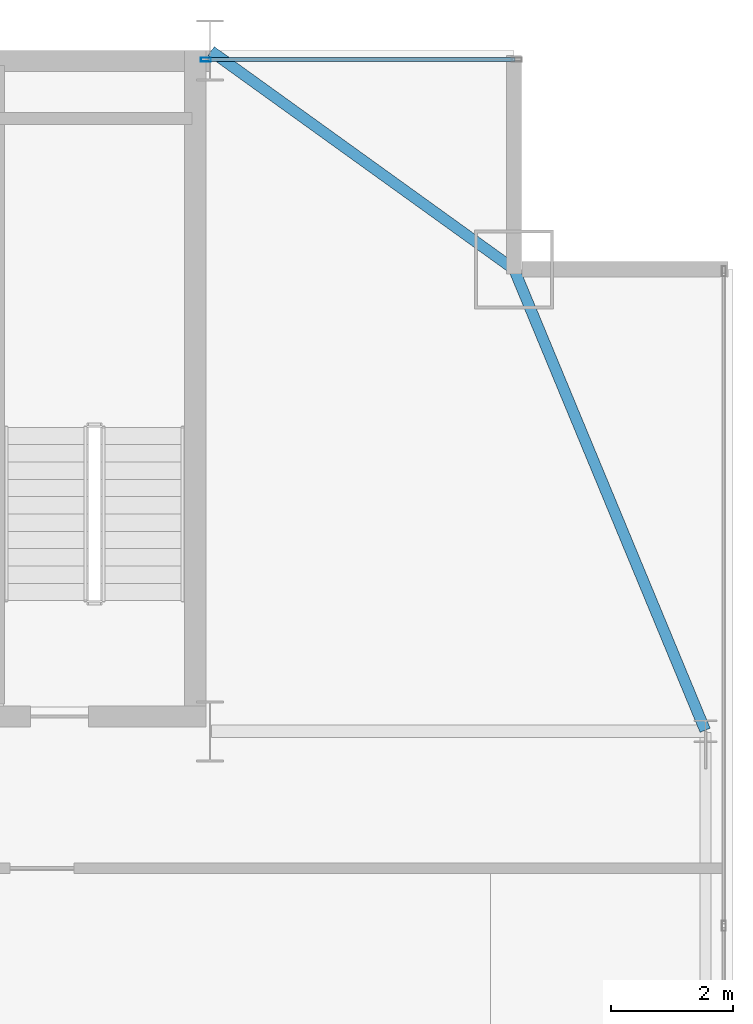
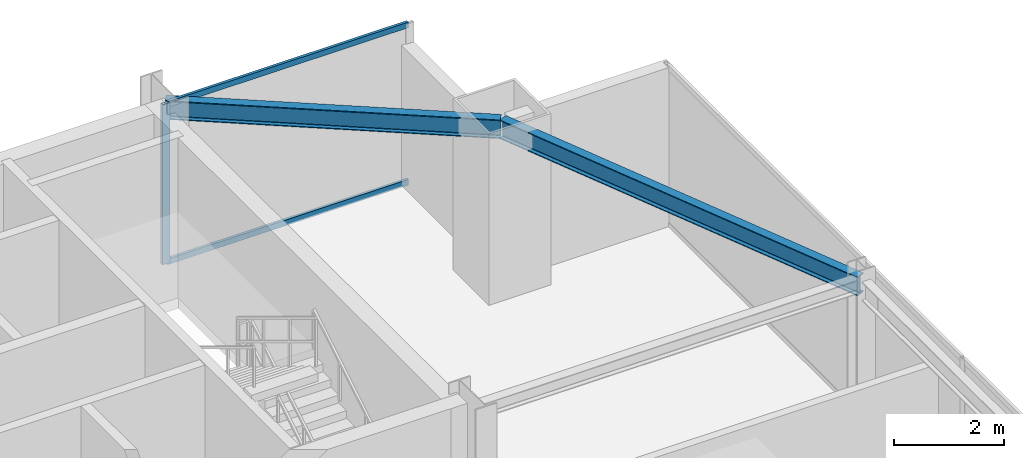
# One storey, part 21 of 31: 3 members, 2 beams, 1 element without a shape of its own.
"""IFC4 building model written with IfcOpenShell, lengths in metres."""

from ifc_helpers import new_model, si_unit, direction, frame, origin, origin_2d, place, context, subcontext, project, spatial, hollow_rectangle, i_section, extrude, source, transform, mapped, material, layer, layer_set, material_profile, profile_set, type_object, type_shapes, element, aggregate, save


model = new_model("IFC4")

# Units and contexts
model_context = context("Model", 3, precision=1e-05, world=origin(), true_north=direction((0.0, 1.0)))
body_context = subcontext(model_context, "Body", "Model", "MODEL_VIEW")
ifc_project = project(units=[si_unit("LENGTHUNIT", "METRE"), si_unit("AREAUNIT", "SQUARE_METRE"), si_unit("VOLUMEUNIT", "CUBIC_METRE"), si_unit("PLANEANGLEUNIT", "RADIAN"), si_unit("MASSUNIT", "GRAM", prefix="KILO")], contexts=[model_context])

# Site, building, storey
site_placement = place(None, origin())
site = spatial("IfcSite", under=ifc_project, at=site_placement, CompositionType="ELEMENT")
building_placement = place(site_placement, origin())
building = spatial("IfcBuilding", under=site, at=building_placement, Name="Varnel Quay Broadcast Tower", CompositionType="ELEMENT")
storey_placement = place(building_placement, frame((0.0, 0.0, 157.199951171875)))
storey = spatial("IfcBuildingStorey", under=building, at=storey_placement, Name="L38", CompositionType="ELEMENT", Elevation=157.199951171875)

# Beams
ifc_material_1 = material(Name="Structural Steel CSA G40.21 350W", Category="steel")
ifc_material_profile_1 = material_profile(ifc_material_1, i_section(OverallWidth=0.180908203125, OverallDepth=0.4169921875, WebThickness=0.010986328125, FlangeThickness=0.018310546875, FilletRadius=0.011962890625, at=origin_2d()), Name="W410X85")
ifc_profile_set_1 = profile_set([ifc_material_profile_1], Name="Structural Steel CSA G40.21 350W")
beam_type = type_object("IfcBeamType", Name="Beam_W410X85", PredefinedType="SPANDREL", material=ifc_profile_set_1)
shared_shape_1 = source(origin(), body_context, "Body", "SweptSolid", [
    extrude(i_section(OverallWidth=0.180908203125, OverallDepth=0.4169921875, WebThickness=0.010986328125, FlangeThickness=0.018310546875, FilletRadius=0.011962890625, at=origin_2d()), origin(), (0.0, 0.0, 1.0), 8.186767578125),
])
beam_1_placement = place(storey_placement, frame((60.542236328125, 35.618408203125, 3.341552734375), z_axis=(-0.382874132092, 0.923800519038, 0.0), x_axis=(-0.923800519038, -0.382874132092, 0.0)))
element("IfcBeam", 1, at=beam_1_placement, inside=storey, type_object=beam_type, Name="L38 East Spandrel TC-E3-MC-NE", PredefinedType="SPANDREL", context=body_context, shape_type="MappedRepresentation", body=[
    mapped(shared_shape_1, transform((0.0, 0.0, 0.0), x_axis=(1.0, 0.0, 0.0), y_axis=(0.0, 1.0, 0.0), z_axis=(0.0, 0.0, 1.0), scale=1.0)),
])
shared_shape_2 = source(origin(), body_context, "Body", "SweptSolid", [
    extrude(i_section(OverallWidth=0.180908203125, OverallDepth=0.4169921875, WebThickness=0.010986328125, FlangeThickness=0.018310546875, FilletRadius=0.011962890625, at=origin_2d()), origin(), (0.0, 0.0, 1.0), 6.12109375),
])
type_shapes(beam_type, [shared_shape_1, shared_shape_2])
beam_2_placement = place(storey_placement, frame((52.416259765625, 46.788330078125, 3.341552734375), z_axis=(0.811531315425, -0.584308928637, 0.0), x_axis=(0.584308928637, 0.811531315425, 0.0)))
element("IfcBeam", 2, at=beam_2_placement, inside=storey, type_object=beam_type, Name="L38 NE Tie Spandrel", PredefinedType="SPANDREL", context=body_context, shape_type="MappedRepresentation", body=[
    mapped(shared_shape_2, transform((0.0, 0.0, 0.0), x_axis=(1.0, 0.0, 0.0), y_axis=(0.0, 1.0, 0.0), z_axis=(0.0, 0.0, 1.0), scale=1.0)),
])

# Curtain wall, members
ifc_material_2 = material(Name="Anodised Bronze Aluminium 6063-T6", Category="aluminium")
ifc_layer = layer(ifc_material_2, 0.18994140625, Name="Anodised Bronze Aluminium 6063-T6")
ifc_layer_set = layer_set([ifc_layer], Name="Anodised Bronze Aluminium 6063-T6")
curtain_wall_type = type_object("IfcCurtainWallType", Name="CW_UpperTower", PredefinedType="NOTDEFINED", material=ifc_layer_set)
curtain_wall_placement = place(storey_placement, origin())
curtain_wall = element("IfcCurtainWall", 3, at=curtain_wall_placement, inside=storey, type_object=curtain_wall_type, Name="L38 NE Wing Curtain Wall", PredefinedType="NOTDEFINED")
ifc_material_profile_2 = material_profile(ifc_material_2, hollow_rectangle(XDim=0.06494140625, YDim=0.1650390625, WallThickness=0.00341796875, at=origin_2d()), Name="ALU65X165X3.5")
ifc_profile_set_2 = profile_set([ifc_material_profile_2], Name="Anodised Bronze Aluminium 6063-T6")
member_type_1 = type_object("IfcMemberType", Name="Mull_CWS-03", PredefinedType="MULLION", material=ifc_profile_set_2)
shared_shape_3 = source(origin(), body_context, "Body", "SweptSolid", [
    extrude(hollow_rectangle(XDim=0.06494140625, YDim=0.1650390625, WallThickness=0.00341796875, at=origin_2d()), origin(), (0.0, 0.0, 1.0), 3.550048828125),
])
type_shapes(member_type_1, [shared_shape_3])
member_1_placement = place(storey_placement, frame((52.33251953125, 46.64990234375, 0.0), z_axis=(0.0, 0.0, 1.0), x_axis=(0.0, 1.0, 0.0)))
member_1 = element("IfcMember", 4, at=member_1_placement, type_object=member_type_1, Name="CWS-03 mullion 1", PredefinedType="MULLION", context=body_context, shape_type="MappedRepresentation", body=[
    mapped(shared_shape_3, transform((0.0, 0.0, 0.0), x_axis=(1.0, 0.0, 0.0), y_axis=(0.0, 1.0, 0.0), z_axis=(0.0, 0.0, 1.0), scale=1.0)),
])
ifc_material_profile_3 = material_profile(ifc_material_2, hollow_rectangle(XDim=0.06005859375, YDim=0.125, WallThickness=0.0029296875, at=origin_2d()), Name="ALU60X125X3")
ifc_profile_set_3 = profile_set([ifc_material_profile_3], Name="Anodised Bronze Aluminium 6063-T6")
member_type_2 = type_object("IfcMemberType", Name="Tran_CWS-03", PredefinedType="USERDEFINED", material=ifc_profile_set_3)
shared_shape_4 = source(origin(), body_context, "Body", "SweptSolid", [
    extrude(hollow_rectangle(XDim=0.06005859375, YDim=0.125, WallThickness=0.0029296875, at=origin_2d()), origin(), (0.0, 0.0, 1.0), 5.050048828125),
])
type_shapes(member_type_2, [shared_shape_4])
member_2_placement = place(storey_placement, frame((52.364990234375, 46.64990234375, 0.030029296875), z_axis=(1.0, 0.0, 0.0), x_axis=(0.0, 1.0, 0.0)))
member_2 = element("IfcMember", 5, at=member_2_placement, type_object=member_type_2, Name="CWS-03 transom 1.1", ObjectType="TRANSOM", PredefinedType="USERDEFINED", context=body_context, shape_type="MappedRepresentation", body=[
    mapped(shared_shape_4, transform((0.0, 0.0, 0.0), x_axis=(1.0, 0.0, 0.0), y_axis=(0.0, 1.0, 0.0), z_axis=(0.0, 0.0, 1.0), scale=1.0)),
])
member_3_placement = place(storey_placement, frame((52.364990234375, 46.64990234375, 3.52001953125), z_axis=(1.0, 0.0, 0.0), x_axis=(0.0, 1.0, 0.0)))
member_3 = element("IfcMember", 6, at=member_3_placement, type_object=member_type_2, Name="CWS-03 transom 1.2", ObjectType="TRANSOM", PredefinedType="USERDEFINED", context=body_context, shape_type="MappedRepresentation", body=[
    mapped(shared_shape_4, transform((0.0, 0.0, 0.0), x_axis=(1.0, 0.0, 0.0), y_axis=(0.0, 1.0, 0.0), z_axis=(0.0, 0.0, 1.0), scale=1.0)),
])
aggregate(curtain_wall, [member_1, member_2, member_3])

save(model, "model.ifc")
